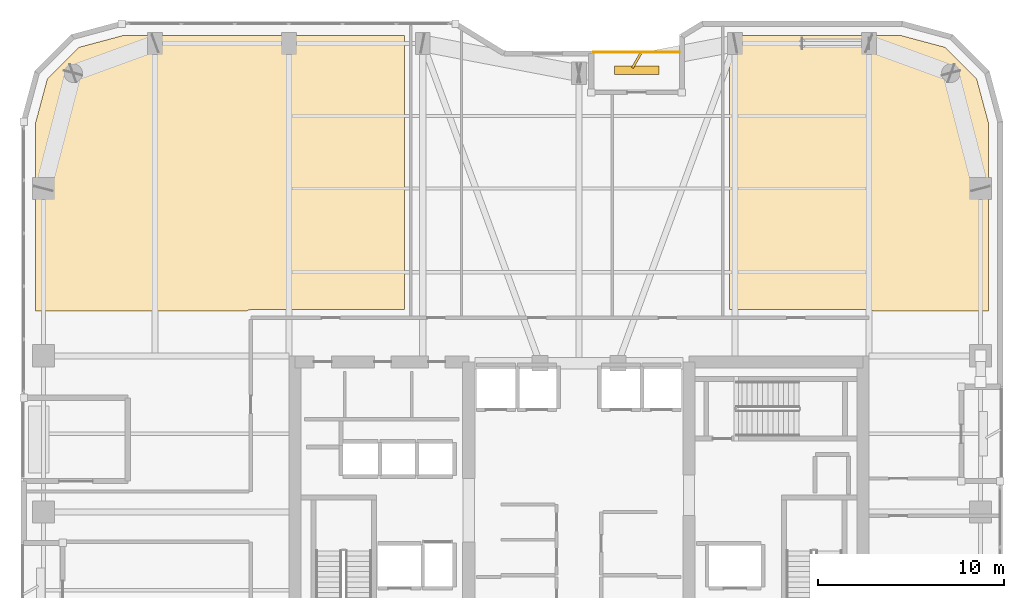
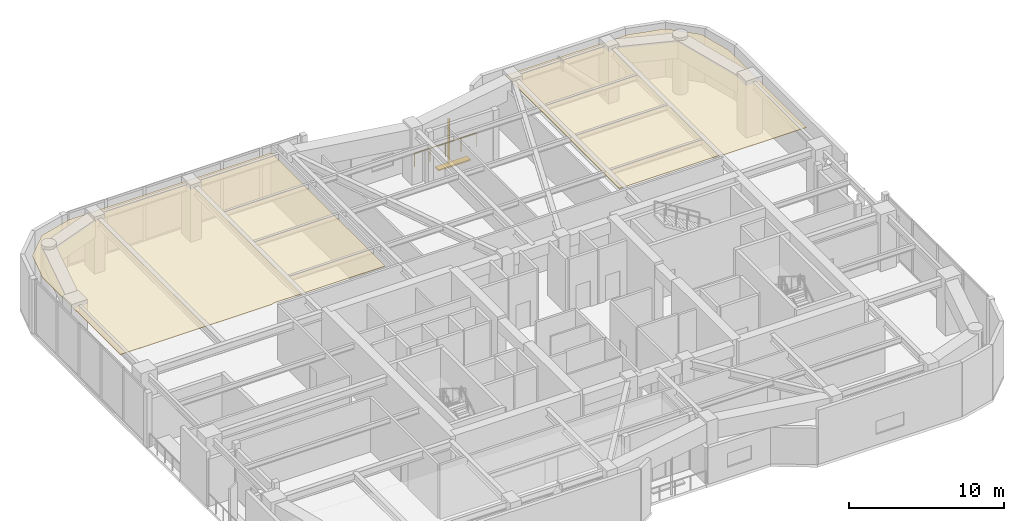
# One storey, part 21 of 21: 2 coverings, 2 shading devices, 1 railing.
"""IFC4 building model written with IfcOpenShell, lengths in metres."""

from ifc_helpers import new_model, si_unit, direction, frame, origin, origin_2d, place, context, subcontext, project, spatial, polyline, rectangle, outline, extrude, material, layer, layer_set, type_object, element, save


model = new_model("IFC4")

# Units and contexts
model_context = context("Model", 3, precision=1e-05, world=origin(), true_north=direction((0.0, 1.0)))
body_context = subcontext(model_context, "Body", "Model", "MODEL_VIEW")
ifc_project = project(units=[si_unit("LENGTHUNIT", "METRE"), si_unit("AREAUNIT", "SQUARE_METRE"), si_unit("VOLUMEUNIT", "CUBIC_METRE"), si_unit("PLANEANGLEUNIT", "RADIAN"), si_unit("MASSUNIT", "GRAM", prefix="KILO")], contexts=[model_context])

# Site, building, storey
site_placement = place(None, origin())
site = spatial("IfcSite", under=ifc_project, at=site_placement, CompositionType="ELEMENT")
building_placement = place(site_placement, origin())
building = spatial("IfcBuilding", under=site, at=building_placement, Name="Kiyonajd Concourse Tower", CompositionType="ELEMENT")
storey_placement = place(building_placement, frame((0.0, 0.0, 181.800048828125)))
storey = spatial("IfcBuildingStorey", under=building, at=storey_placement, Name="L46", CompositionType="ELEMENT", Elevation=181.800048828125)

# Coverings
ifc_material_1 = material(Name="Natural Oak Acoustic Timber Veneer", Category="wood")
ifc_layer = layer(ifc_material_1, 0.0400390625)
ifc_layer_set = layer_set([ifc_layer], Name="Natural Oak Acoustic Timber Veneer")
covering_type = type_object("IfcCoveringType", Name="CV-CLG-ACST", PredefinedType="CEILING", material=ifc_layer_set)
covering_1_placement = place(storey_placement, frame((0.0, 0.0, 4.099853515625)))
element("IfcCovering", 1, at=covering_1_placement, inside=storey, type_object=covering_type, Name="L46-41 Room Acoustic Ceiling", PredefinedType="CEILING", context=body_context, shape_type="SweptSolid", body=[
    extrude(outline(polyline([(21.097900390625, 60.986083984375), (23.5009765625, 61.6298828125), (38.610107421875, 61.6298828125), (38.610107421875, 46.8798828125), (30.35009765625, 46.8798828125), (30.219970703125, 46.860107421875), (30.156982421875, 46.833984375), (30.10205078125, 46.800048828125), (18.77001953125, 46.800048828125), (18.77001953125, 56.89892578125), (19.4140625, 59.302001953125), (21.097900390625, 60.986083984375)])), origin(), (0.0, 0.0, 1.0), 0.0400390625),
])
covering_2_placement = place(storey_placement, frame((0.0, 0.0, 4.099853515625)))
element("IfcCovering", 2, at=covering_2_placement, inside=storey, type_object=covering_type, Name="L46-45 Room Acoustic Ceiling", PredefinedType="CEILING", context=body_context, shape_type="SweptSolid", body=[
    extrude(outline(polyline([(63.847900390625, 46.800048828125), (63.79296875, 46.833984375), (63.72998046875, 46.860107421875), (63.60009765625, 46.8798828125), (56.110107421875, 46.8798828125), (56.110107421875, 61.6298828125), (65.299072265625, 61.6298828125), (67.701904296875, 60.986083984375), (69.385986328125, 59.302001953125), (70.030029296875, 56.89892578125), (70.030029296875, 46.800048828125), (63.847900390625, 46.800048828125)])), origin(), (0.0, 0.0, 1.0), 0.0400390625),
])

# Railing
ifc_material_2 = material(Name="Thermally Broken Anodised Aluminium", Category="aluminium")
railing_type = type_object("IfcRailingType", Name="RL-GRD-LOG", PredefinedType="GUARDRAIL", material=ifc_material_2)
railing_placement = place(storey_placement, frame((53.39990234375, 60.719970703125, 0.0)))
element("IfcRailing", 3, at=railing_placement, inside=storey, type_object=railing_type, Name="L46 Engawa Loggia Perimeter Guard LOG-N", PredefinedType="GUARDRAIL", context=body_context, shape_type="SweptSolid", body=[
    extrude(rectangle(XDim=0.048095703125, YDim=0.048095703125, at=origin_2d()), frame((0.0, 0.0, 1.076171875), z_axis=(-1.0, 0.0, 0.0), x_axis=(0.0, -1.0, 0.0)), (0.0, 0.0, 1.0), 4.599853515625),
    extrude(rectangle(XDim=0.0419921875, YDim=0.0419921875, at=origin_2d()), origin(), (0.0, 0.0, 1.0), 1.052001953125),
    extrude(rectangle(XDim=0.0419921875, YDim=0.0419921875, at=origin_2d()), frame((-1.14990234375, 0.0, 0.0)), (0.0, 0.0, 1.0), 1.052001953125),
    extrude(rectangle(XDim=0.0419921875, YDim=0.0419921875, at=origin_2d()), frame((-2.2998046875, 0.0, 0.0)), (0.0, 0.0, 1.0), 1.052001953125),
    extrude(rectangle(XDim=0.0419921875, YDim=0.0419921875, at=origin_2d()), frame((-3.449951171875, 0.0, 0.0)), (0.0, 0.0, 1.0), 1.052001953125),
    extrude(rectangle(XDim=0.0419921875, YDim=0.0419921875, at=origin_2d()), frame((-4.599853515625, 0.0, 0.0)), (0.0, 0.0, 1.0), 1.052001953125),
])

# Shading devices
ifc_material_3 = material(Name="Precast concrete C50/60", Category="concrete")
shading_device_type_1 = type_object("IfcShadingDeviceType", Name="SH-FIN-900", PredefinedType="USERDEFINED", material=ifc_material_3)
shading_device_1_placement = place(storey_placement, frame((51.10009765625, 60.27001953125, 0.0), z_axis=(0.0, 0.0, 1.0), x_axis=(0.5, 0.866025403784, 0.0)))
element("IfcShadingDevice", 4, at=shading_device_1_placement, inside=storey, type_object=shading_device_type_1, Name="L46 Angled Koshi Solar Fin LOG-N", ObjectType="FIN", PredefinedType="USERDEFINED", context=body_context, shape_type="SweptSolid", body=[
    extrude(rectangle(XDim=0.89990234375, YDim=0.1201171875, at=origin_2d()), origin(), (0.0, 0.0, 1.0), 3.0),
])
shading_device_type_2 = type_object("IfcShadingDeviceType", Name="SH-LVR-600", PredefinedType="JALOUSIE", material=ifc_material_2)
shading_device_2_placement = place(storey_placement, frame((51.10009765625, 59.75, 0.0), z_axis=(0.0, 0.0, 1.0), x_axis=(1.0, 0.0, 0.0)))
element("IfcShadingDevice", 5, at=shading_device_2_placement, inside=storey, type_object=shading_device_type_2, Name="L46 Loggia Threshold Louver LOG-N", PredefinedType="JALOUSIE", context=body_context, shape_type="SweptSolid", body=[
    extrude(rectangle(XDim=2.39990234375, YDim=0.449951171875, at=origin_2d()), origin(), (0.0, 0.0, 1.0), 0.10009765625),
])

save(model, "model.ifc")
